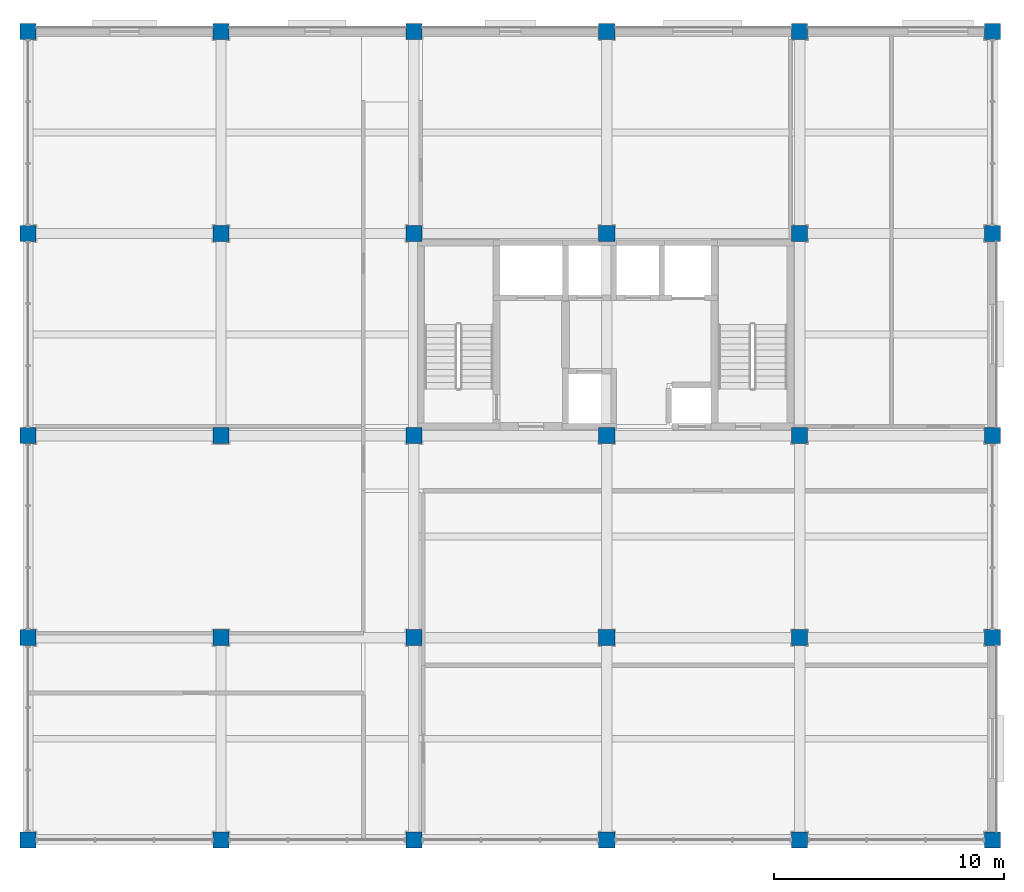
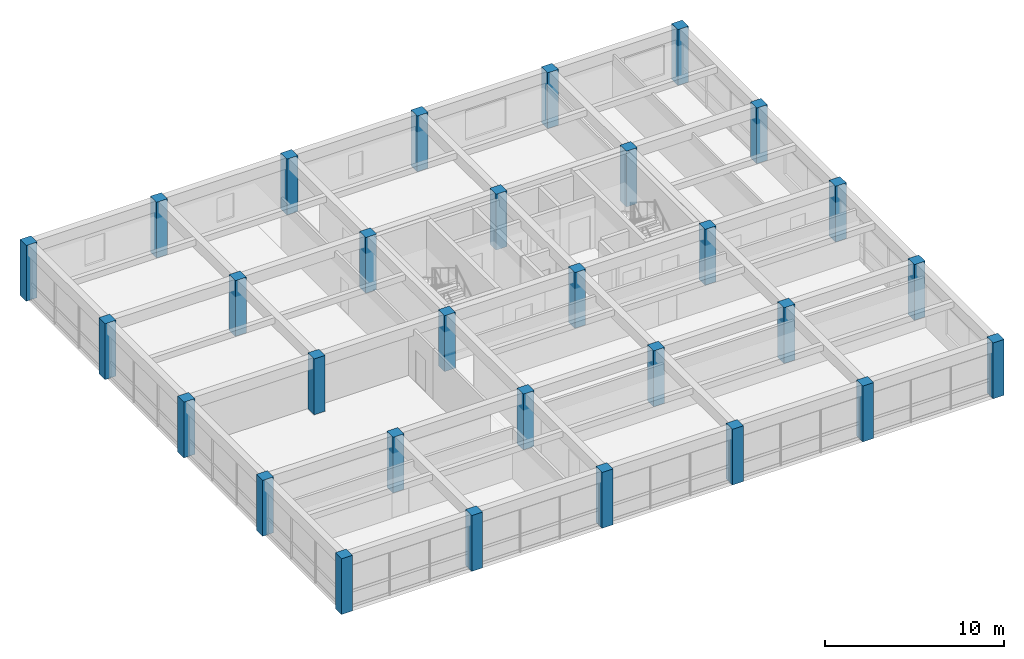
# One storey, part 1 of 13: 30 columns.
"""IFC4 building model written with IfcOpenShell, lengths in metres."""

from ifc_helpers import new_model, si_unit, direction, frame, origin, origin_2d, place, context, subcontext, project, spatial, rectangle, extrude, material, material_profile, profile_set, type_object, element, save


model = new_model("IFC4")

# Units and contexts
model_context = context("Model", 3, precision=1e-05, world=origin(), true_north=direction((0.0, 1.0)))
body_context = subcontext(model_context, "Body", "Model", "MODEL_VIEW")
ifc_project = project(units=[si_unit("LENGTHUNIT", "METRE"), si_unit("AREAUNIT", "SQUARE_METRE"), si_unit("VOLUMEUNIT", "CUBIC_METRE"), si_unit("PLANEANGLEUNIT", "RADIAN"), si_unit("MASSUNIT", "GRAM", prefix="KILO")], contexts=[model_context])

# Site, building, storey
site_placement = place(None, origin())
site = spatial("IfcSite", under=ifc_project, at=site_placement, CompositionType="ELEMENT")
building_placement = place(site_placement, origin())
building = spatial("IfcBuilding", under=site, at=building_placement, Name="Kemercrest Conservatory and Botanical Centre", CompositionType="ELEMENT")
storey_placement = place(building_placement, frame((0.0, 0.0, 36.800048828125)))
storey = spatial("IfcBuildingStorey", under=building, at=storey_placement, Name="L09", CompositionType="ELEMENT", Elevation=36.800048828125)

# Columns
ifc_material = material(Name="Concrete C50/60", Category="concrete")
ifc_material_profile = material_profile(ifc_material, rectangle(XDim=0.699951171875, YDim=0.699951171875, at=origin_2d()), Name="RC 700x700")
ifc_profile_set = profile_set([ifc_material_profile], Name="Concrete C50/60")
column_type = type_object("IfcColumnType", Name="C-RC70", PredefinedType="COLUMN", material=ifc_profile_set)
for number, where, z_axis, x_axis, name in (
    (1, (134.0, 87.199951171875, 0.0), (0.0, 0.0, 1.0), (1.0, 0.0, 0.0), "Tower column C-RC70 16/K"),
    (2, (134.0, 96.0, 0.0), (0.0, 0.0, 1.0), (1.0, 0.0, 0.0), "Tower column C-RC70 16/L"),
    (3, (134.0, 104.800048828125, 0.0), (0.0, 0.0, 1.0), (1.0, 0.0, 0.0), "Tower column C-RC70 16/M"),
    (4, (134.0, 113.60009765625, 0.0), (0.0, 0.0, 1.0), (1.0, 0.0, 0.0), "Tower column C-RC70 16/N"),
    (5, (134.0, 122.39990234375, 0.0), (0.0, 0.0, 1.0), (1.0, 0.0, 0.0), "Tower column C-RC70 16/P"),
    (6, (142.39990234375, 87.199951171875, 0.0), (0.0, 0.0, 1.0), (1.0, 0.0, 0.0), "Tower column C-RC70 17/K"),
    (7, (142.39990234375, 96.0, 0.0), (0.0, 0.0, 1.0), (1.0, 0.0, 0.0), "Tower column C-RC70 17/L"),
    (8, (142.39990234375, 104.800048828125, 0.0), (0.0, 0.0, 1.0), (1.0, 0.0, 0.0), "Tower column C-RC70 17/M"),
    (9, (142.39990234375, 113.60009765625, 0.0), (0.0, 0.0, 1.0), (1.0, 0.0, 0.0), "Tower column C-RC70 17/N"),
    (10, (142.39990234375, 122.39990234375, 0.0), (0.0, 0.0, 1.0), (1.0, 0.0, 0.0), "Tower column C-RC70 17/P"),
    (11, (150.800048828125, 87.199951171875, 0.0), (0.0, 0.0, 1.0), (1.0, 0.0, 0.0), "Tower column C-RC70 18/K"),
    (12, (150.800048828125, 96.0, 0.0), (0.0, 0.0, 1.0), (1.0, 0.0, 0.0), "Tower column C-RC70 18/L"),
    (13, (150.800048828125, 104.800048828125, 0.0), (0.0, 0.0, 1.0), (1.0, 0.0, 0.0), "Tower column C-RC70 18/M"),
    (14, (150.800048828125, 113.60009765625, 0.0), (0.0, 0.0, 1.0), (1.0, 0.0, 0.0), "Tower column C-RC70 18/N"),
    (15, (150.800048828125, 122.39990234375, 0.0), (0.0, 0.0, 1.0), (1.0, 0.0, 0.0), "Tower column C-RC70 18/P"),
    (16, (159.199951171875, 87.199951171875, 0.0), (0.0, 0.0, 1.0), (1.0, 0.0, 0.0), "Tower column C-RC70 19/K"),
    (17, (159.199951171875, 96.0, 0.0), (0.0, 0.0, 1.0), (1.0, 0.0, 0.0), "Tower column C-RC70 19/L"),
    (18, (159.199951171875, 104.800048828125, 0.0), (0.0, 0.0, 1.0), (1.0, 0.0, 0.0), "Tower column C-RC70 19/M"),
    (19, (159.199951171875, 113.60009765625, 0.0), (0.0, 0.0, 1.0), (1.0, 0.0, 0.0), "Tower column C-RC70 19/N"),
    (20, (159.199951171875, 122.39990234375, 0.0), (0.0, 0.0, 1.0), (1.0, 0.0, 0.0), "Tower column C-RC70 19/P"),
    (21, (167.60009765625, 87.199951171875, 0.0), (0.0, 0.0, 1.0), (1.0, 0.0, 0.0), "Tower column C-RC70 20/K"),
    (22, (167.60009765625, 96.0, 0.0), (0.0, 0.0, 1.0), (1.0, 0.0, 0.0), "Tower column C-RC70 20/L"),
    (23, (167.60009765625, 104.800048828125, 0.0), (0.0, 0.0, 1.0), (1.0, 0.0, 0.0), "Tower column C-RC70 20/M"),
    (24, (167.60009765625, 113.60009765625, 0.0), (0.0, 0.0, 1.0), (1.0, 0.0, 0.0), "Tower column C-RC70 20/N"),
    (25, (167.60009765625, 122.39990234375, 0.0), (0.0, 0.0, 1.0), (1.0, 0.0, 0.0), "Tower column C-RC70 20/P"),
    (26, (176.0, 87.199951171875, 0.0), (0.0, 0.0, 1.0), (1.0, 0.0, 0.0), "Tower column C-RC70 21/K"),
    (27, (176.0, 96.0, 0.0), (0.0, 0.0, 1.0), (1.0, 0.0, 0.0), "Tower column C-RC70 21/L"),
    (28, (176.0, 104.800048828125, 0.0), (0.0, 0.0, 1.0), (1.0, 0.0, 0.0), "Tower column C-RC70 21/M"),
    (29, (176.0, 113.60009765625, 0.0), (0.0, 0.0, 1.0), (1.0, 0.0, 0.0), "Tower column C-RC70 21/N"),
    (30, (176.0, 122.39990234375, 0.0), (0.0, 0.0, 1.0), (1.0, 0.0, 0.0), "Tower column C-RC70 21/P"),
):
    element("IfcColumn", number, at=place(storey_placement, frame(where, z_axis=z_axis, x_axis=x_axis)), inside=storey, type_object=column_type, Name=name, PredefinedType="COLUMN", context=body_context, shape_type="SweptSolid", body=[
        extrude(rectangle(XDim=0.699951171875, YDim=0.699951171875, at=origin_2d()), origin(), (0.0, 0.0, 1.0), 3.800048828125),
    ])

save(model, "model.ifc")
